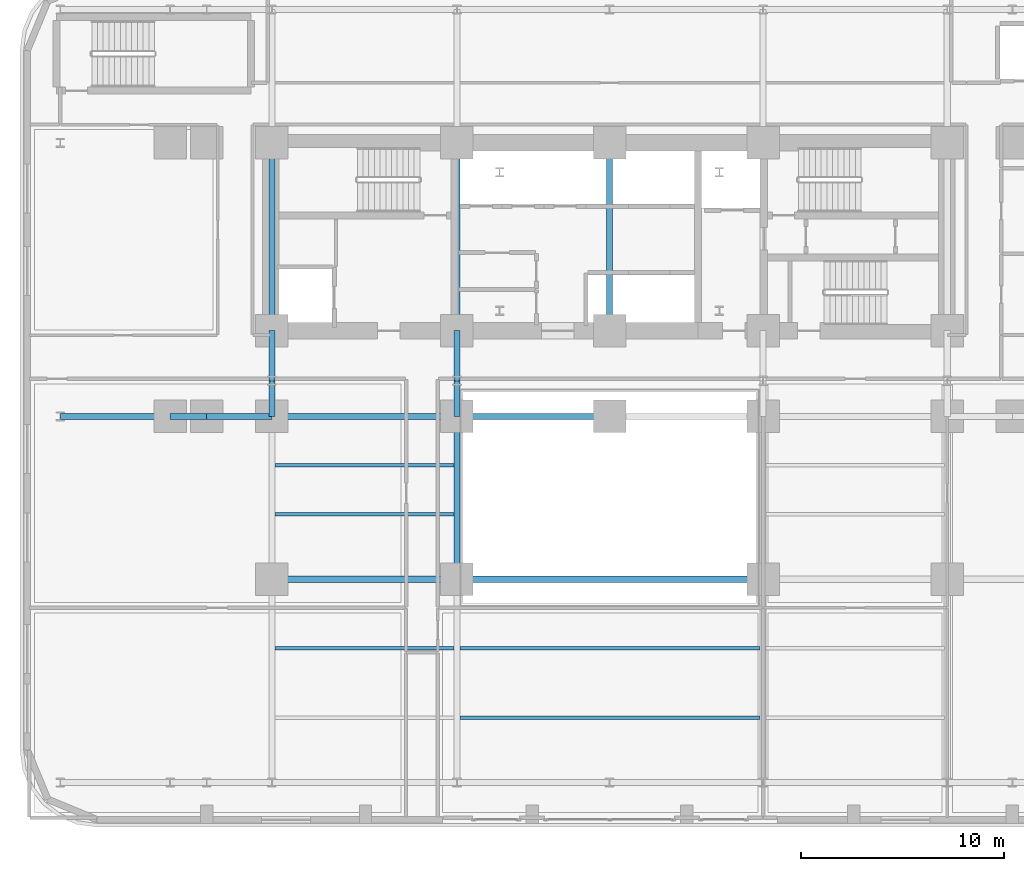
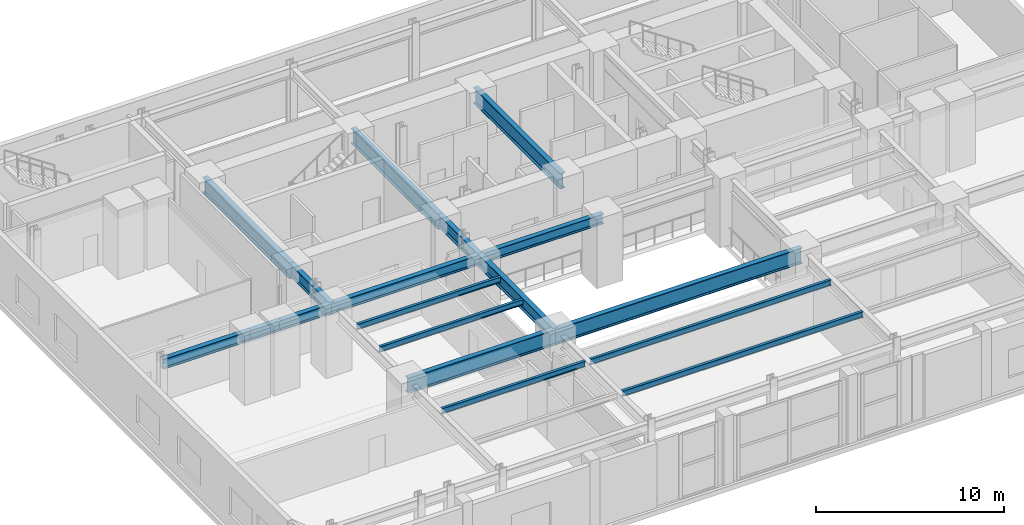
# One storey, part 3 of 14: 20 beams.
"""IFC4 building model written with IfcOpenShell, lengths in metres."""

from ifc_helpers import new_model, si_unit, direction, frame, origin, origin_2d, place, context, subcontext, project, spatial, i_section, extrude, material, material_profile, profile_set, type_object, element, save


model = new_model("IFC4")

# Units and contexts
model_context = context("Model", 3, precision=1e-05, world=origin(), true_north=direction((0.0, 1.0)))
body_context = subcontext(model_context, "Body", "Model", "MODEL_VIEW")
ifc_project = project(units=[si_unit("LENGTHUNIT", "METRE"), si_unit("AREAUNIT", "SQUARE_METRE"), si_unit("VOLUMEUNIT", "CUBIC_METRE"), si_unit("PLANEANGLEUNIT", "RADIAN"), si_unit("MASSUNIT", "GRAM", prefix="KILO")], contexts=[model_context])

# Site, building, storey
site_placement = place(None, origin())
site = spatial("IfcSite", under=ifc_project, at=site_placement, CompositionType="ELEMENT")
building_placement = place(site_placement, origin())
building = spatial("IfcBuilding", under=site, at=building_placement, Name="Zarnavel Station Tower", CompositionType="ELEMENT")
storey_placement = place(building_placement, frame((0.0, 0.0, 14.89990234375)))
storey = spatial("IfcBuildingStorey", under=building, at=storey_placement, Name="L04", CompositionType="ELEMENT", Elevation=14.89990234375)

# Beams
ifc_material_1 = material(Name="Steel S355J2", Category="steel")
ifc_material_profile_1 = material_profile(ifc_material_1, i_section(OverallWidth=0.300048828125, OverallDepth=0.64990234375, WebThickness=0.01611328125, FlangeThickness=0.031005859375, FilletRadius=0.027099609375, at=origin_2d()), Name="HEB650")
ifc_profile_set_1 = profile_set([ifc_material_profile_1], Name="Steel S355J2")
beam_type_1 = type_object("IfcBeamType", Name="FG_HEB650", PredefinedType="USERDEFINED", material=ifc_profile_set_1)
beam_1_placement = place(storey_placement, frame((1.800048828125, 23.60009765625, 3.875), z_axis=(1.0, 0.0, 0.0), x_axis=(0.0, 1.0, 0.0)))
element("IfcBeam", 1, at=beam_1_placement, inside=storey, type_object=beam_type_1, Name="L04 EW Frame Girder 2-1", ObjectType="GIRDER", PredefinedType="USERDEFINED", context=body_context, shape_type="SweptSolid", body=[
    extrude(i_section(OverallWidth=0.300048828125, OverallDepth=0.64990234375, WebThickness=0.01611328125, FlangeThickness=0.031005859375, FilletRadius=0.027099609375, at=origin_2d()), origin(), (0.0, 0.0, 1.0), 5.39990234375),
])
beam_2_placement = place(storey_placement, frame((7.199951171875, 23.60009765625, 3.875), z_axis=(1.0, 0.0, 0.0), x_axis=(0.0, 1.0, 0.0)))
element("IfcBeam", 2, at=beam_2_placement, inside=storey, type_object=beam_type_1, Name="L04 EW Frame Girder 2-2", ObjectType="GIRDER", PredefinedType="USERDEFINED", context=body_context, shape_type="SweptSolid", body=[
    extrude(i_section(OverallWidth=0.300048828125, OverallDepth=0.64990234375, WebThickness=0.01611328125, FlangeThickness=0.031005859375, FilletRadius=0.027099609375, at=origin_2d()), origin(), (0.0, 0.0, 1.0), 1.800048828125),
])
beam_3_placement = place(storey_placement, frame((9.0, 23.60009765625, 3.875), z_axis=(1.0, 0.0, 0.0), x_axis=(0.0, 1.0, 0.0)))
element("IfcBeam", 3, at=beam_3_placement, inside=storey, type_object=beam_type_1, Name="L04 EW Frame Girder 2-3", ObjectType="GIRDER", PredefinedType="USERDEFINED", context=body_context, shape_type="SweptSolid", body=[
    extrude(i_section(OverallWidth=0.300048828125, OverallDepth=0.64990234375, WebThickness=0.01611328125, FlangeThickness=0.031005859375, FilletRadius=0.027099609375, at=origin_2d()), origin(), (0.0, 0.0, 1.0), 3.199951171875),
])
beam_4_placement = place(storey_placement, frame((12.199951171875, 23.60009765625, 3.875), z_axis=(1.0, 0.0, 0.0), x_axis=(0.0, 1.0, 0.0)))
element("IfcBeam", 4, at=beam_4_placement, inside=storey, type_object=beam_type_1, Name="L04 EW Frame Girder 2-4", ObjectType="GIRDER", PredefinedType="USERDEFINED", context=body_context, shape_type="SweptSolid", body=[
    extrude(i_section(OverallWidth=0.300048828125, OverallDepth=0.64990234375, WebThickness=0.01611328125, FlangeThickness=0.031005859375, FilletRadius=0.027099609375, at=origin_2d()), origin(), (0.0, 0.0, 1.0), 9.10009765625),
])
beam_5_placement = place(storey_placement, frame((21.300048828125, 23.60009765625, 3.875), z_axis=(1.0, 0.0, 0.0), x_axis=(0.0, 1.0, 0.0)))
element("IfcBeam", 5, at=beam_5_placement, inside=storey, type_object=beam_type_1, Name="L04 EW Frame Girder 2-5", ObjectType="GIRDER", PredefinedType="USERDEFINED", context=body_context, shape_type="SweptSolid", body=[
    extrude(i_section(OverallWidth=0.300048828125, OverallDepth=0.64990234375, WebThickness=0.01611328125, FlangeThickness=0.031005859375, FilletRadius=0.027099609375, at=origin_2d()), origin(), (0.0, 0.0, 1.0), 7.5),
])
ifc_material_2 = material(Name="Steel S460M", Category="steel")
ifc_material_profile_2 = material_profile(ifc_material_2, i_section(OverallWidth=0.302978515625, OverallDepth=0.81396484375, WebThickness=0.02099609375, FlangeThickness=0.0400390625, FilletRadius=0.030029296875, at=origin_2d()), Name="HEM800")
ifc_profile_set_2 = profile_set([ifc_material_profile_2], Name="Steel S460M")
beam_type_2 = type_object("IfcBeamType", Name="FG_HEM800", PredefinedType="USERDEFINED", material=ifc_profile_set_2)
beam_6_placement = place(storey_placement, frame((12.199951171875, 23.60009765625, 3.793212890625), z_axis=(0.0, 1.0, 0.0), x_axis=(-1.0, 0.0, 0.0)))
element("IfcBeam", 6, at=beam_6_placement, inside=storey, type_object=beam_type_2, Name="L04 NS Girder Spine 1", ObjectType="GIRDER", PredefinedType="USERDEFINED", context=body_context, shape_type="SweptSolid", body=[
    extrude(i_section(OverallWidth=0.302978515625, OverallDepth=0.81396484375, WebThickness=0.02099609375, FlangeThickness=0.0400390625, FilletRadius=0.030029296875, at=origin_2d()), origin(), (0.0, 0.0, 1.0), 1.75),
])
beam_7_placement = place(storey_placement, frame((12.199951171875, 25.35009765625, 3.793212890625), z_axis=(0.0, 1.0, 0.0), x_axis=(-1.0, 0.0, 0.0)))
element("IfcBeam", 7, at=beam_7_placement, inside=storey, type_object=beam_type_2, Name="L04 NS Girder Core 1", ObjectType="GIRDER", PredefinedType="USERDEFINED", context=body_context, shape_type="SweptSolid", body=[
    extrude(i_section(OverallWidth=0.302978515625, OverallDepth=0.81396484375, WebThickness=0.02099609375, FlangeThickness=0.0400390625, FilletRadius=0.030029296875, at=origin_2d()), origin(), (0.0, 0.0, 1.0), 2.469970703125),
])
beam_8_placement = place(storey_placement, frame((21.300048828125, 15.60009765625, 3.793212890625), z_axis=(0.0, 1.0, 0.0), x_axis=(-1.0, 0.0, 0.0)))
element("IfcBeam", 8, at=beam_8_placement, inside=storey, type_object=beam_type_2, Name="L04 NS Girder Mid 2", ObjectType="GIRDER", PredefinedType="USERDEFINED", context=body_context, shape_type="SweptSolid", body=[
    extrude(i_section(OverallWidth=0.302978515625, OverallDepth=0.81396484375, WebThickness=0.02099609375, FlangeThickness=0.0400390625, FilletRadius=0.030029296875, at=origin_2d()), origin(), (0.0, 0.0, 1.0), 8.0),
])
beam_9_placement = place(storey_placement, frame((21.300048828125, 23.60009765625, 3.793212890625), z_axis=(0.0, 1.0, 0.0), x_axis=(-1.0, 0.0, 0.0)))
element("IfcBeam", 9, at=beam_9_placement, inside=storey, type_object=beam_type_2, Name="L04 NS Girder Spine 2", ObjectType="GIRDER", PredefinedType="USERDEFINED", context=body_context, shape_type="SweptSolid", body=[
    extrude(i_section(OverallWidth=0.302978515625, OverallDepth=0.81396484375, WebThickness=0.02099609375, FlangeThickness=0.0400390625, FilletRadius=0.030029296875, at=origin_2d()), origin(), (0.0, 0.0, 1.0), 1.75),
])
beam_10_placement = place(storey_placement, frame((21.300048828125, 25.35009765625, 3.793212890625), z_axis=(0.0, 1.0, 0.0), x_axis=(-1.0, 0.0, 0.0)))
element("IfcBeam", 10, at=beam_10_placement, inside=storey, type_object=beam_type_2, Name="L04 NS Girder Core 2", ObjectType="GIRDER", PredefinedType="USERDEFINED", context=body_context, shape_type="SweptSolid", body=[
    extrude(i_section(OverallWidth=0.302978515625, OverallDepth=0.81396484375, WebThickness=0.02099609375, FlangeThickness=0.0400390625, FilletRadius=0.030029296875, at=origin_2d()), origin(), (0.0, 0.0, 1.0), 2.469970703125),
])
ifc_material_3 = material(Name="Steel S355J2", Category="steel")
ifc_material_profile_3 = material_profile(ifc_material_3, i_section(OverallWidth=0.169921875, OverallDepth=0.360107421875, WebThickness=0.008056640625, FlangeThickness=0.0126953125, FilletRadius=0.01806640625, at=origin_2d()), Name="IPE360")
ifc_profile_set_3 = profile_set([ifc_material_profile_3], Name="Steel S355J2")
beam_type_3 = type_object("IfcBeamType", Name="FJ_IPE360", PredefinedType="JOIST", material=ifc_profile_set_3)
beam_11_placement = place(storey_placement, frame((21.445068359375, 8.800048828125, 4.02001953125), z_axis=(1.0, 0.0, 0.0), x_axis=(0.0, 1.0, 0.0)))
element("IfcBeam", 11, at=beam_11_placement, inside=storey, type_object=beam_type_3, Name="L04 Floor Joist M1", PredefinedType="JOIST", context=body_context, shape_type="SweptSolid", body=[
    extrude(i_section(OverallWidth=0.169921875, OverallDepth=0.360107421875, WebThickness=0.008056640625, FlangeThickness=0.0126953125, FilletRadius=0.01806640625, at=origin_2d()), origin(), (0.0, 0.0, 1.0), 14.760009765625),
])
beam_12_placement = place(storey_placement, frame((12.344970703125, 12.199951171875, 4.02001953125), z_axis=(1.0, 0.0, 0.0), x_axis=(0.0, 1.0, 0.0)))
element("IfcBeam", 12, at=beam_12_placement, inside=storey, type_object=beam_type_3, Name="L04 Floor Joist W2", PredefinedType="JOIST", context=body_context, shape_type="SweptSolid", body=[
    extrude(i_section(OverallWidth=0.169921875, OverallDepth=0.360107421875, WebThickness=0.008056640625, FlangeThickness=0.0126953125, FilletRadius=0.01806640625, at=origin_2d()), origin(), (0.0, 0.0, 1.0), 8.81005859375),
])
beam_13_placement = place(storey_placement, frame((21.445068359375, 12.199951171875, 4.02001953125), z_axis=(1.0, 0.0, 0.0), x_axis=(0.0, 1.0, 0.0)))
element("IfcBeam", 13, at=beam_13_placement, inside=storey, type_object=beam_type_3, Name="L04 Floor Joist M2", PredefinedType="JOIST", context=body_context, shape_type="SweptSolid", body=[
    extrude(i_section(OverallWidth=0.169921875, OverallDepth=0.360107421875, WebThickness=0.008056640625, FlangeThickness=0.0126953125, FilletRadius=0.01806640625, at=origin_2d()), origin(), (0.0, 0.0, 1.0), 14.760009765625),
])
for number, where, z_axis, x_axis, name in (
    (14, (12.344970703125, 18.800048828125, 4.02001953125), (1.0, 0.0, 0.0), (0.0, 1.0, 0.0), "L04 West Joist 3"),
    (15, (12.344970703125, 21.199951171875, 4.02001953125), (1.0, 0.0, 0.0), (0.0, 1.0, 0.0), "L04 West Joist 4"),
):
    element("IfcBeam", number, at=place(storey_placement, frame(where, z_axis=z_axis, x_axis=x_axis)), inside=storey, type_object=beam_type_3, Name=name, PredefinedType="JOIST", context=body_context, shape_type="SweptSolid", body=[
        extrude(i_section(OverallWidth=0.169921875, OverallDepth=0.360107421875, WebThickness=0.008056640625, FlangeThickness=0.0126953125, FilletRadius=0.01806640625, at=origin_2d()), origin(), (0.0, 0.0, 1.0), 8.81005859375),
    ])
ifc_material_4 = material(Name="Steel S460M", Category="steel")
ifc_material_profile_4 = material_profile(ifc_material_4, i_section(OverallWidth=0.302001953125, OverallDepth=1.008056640625, WebThickness=0.02099609375, FlangeThickness=0.0400390625, FilletRadius=0.030029296875, at=origin_2d()), Name="HEM1000")
ifc_profile_set_4 = profile_set([ifc_material_profile_4], Name="Steel S460M")
beam_type_4 = type_object("IfcBeamType", Name="TG_HEM1000", PredefinedType="USERDEFINED", material=ifc_profile_set_4)
for number, where, z_axis, x_axis, name in (
    (16, (12.199951171875, 27.820068359375, 3.696044921875), (0.0, 1.0, 0.0), (-1.0, 0.0, 0.0), "L04 Core Spine Coupling Girder 1"),
    (17, (21.300048828125, 27.820068359375, 3.696044921875), (0.0, 1.0, 0.0), (-1.0, 0.0, 0.0), "L04 Core Spine Coupling Girder 2"),
    (18, (28.800048828125, 27.820068359375, 3.696044921875), (0.0, 1.0, 0.0), (-1.0, 0.0, 0.0), "L04 Core Spine Coupling Girder 3"),
):
    element("IfcBeam", number, at=place(storey_placement, frame(where, z_axis=z_axis, x_axis=x_axis)), inside=storey, type_object=beam_type_4, Name=name, ObjectType="GIRDER", PredefinedType="USERDEFINED", context=body_context, shape_type="SweptSolid", body=[
        extrude(i_section(OverallWidth=0.302001953125, OverallDepth=1.008056640625, WebThickness=0.02099609375, FlangeThickness=0.0400390625, FilletRadius=0.030029296875, at=origin_2d()), origin(), (0.0, 0.0, 1.0), 9.22998046875),
    ])
beam_14_placement = place(storey_placement, frame((12.199951171875, 15.60009765625, 3.696044921875), z_axis=(1.0, 0.0, 0.0), x_axis=(0.0, 1.0, 0.0)))
element("IfcBeam", 19, at=beam_14_placement, inside=storey, type_object=beam_type_4, Name="L04 West Hall Girder", ObjectType="GIRDER", PredefinedType="USERDEFINED", context=body_context, shape_type="SweptSolid", body=[
    extrude(i_section(OverallWidth=0.302001953125, OverallDepth=1.008056640625, WebThickness=0.02099609375, FlangeThickness=0.0400390625, FilletRadius=0.030029296875, at=origin_2d()), origin(), (0.0, 0.0, 1.0), 9.10009765625),
])
beam_15_placement = place(storey_placement, frame((21.300048828125, 15.60009765625, 3.696044921875), z_axis=(1.0, 0.0, 0.0), x_axis=(0.0, 1.0, 0.0)))
element("IfcBeam", 20, at=beam_15_placement, inside=storey, type_object=beam_type_4, Name="L04 Concourse Long-Span Girder", ObjectType="GIRDER", PredefinedType="USERDEFINED", context=body_context, shape_type="SweptSolid", body=[
    extrude(i_section(OverallWidth=0.302001953125, OverallDepth=1.008056640625, WebThickness=0.02099609375, FlangeThickness=0.0400390625, FilletRadius=0.030029296875, at=origin_2d()), origin(), (0.0, 0.0, 1.0), 15.050048828125),
])

save(model, "model.ifc")
